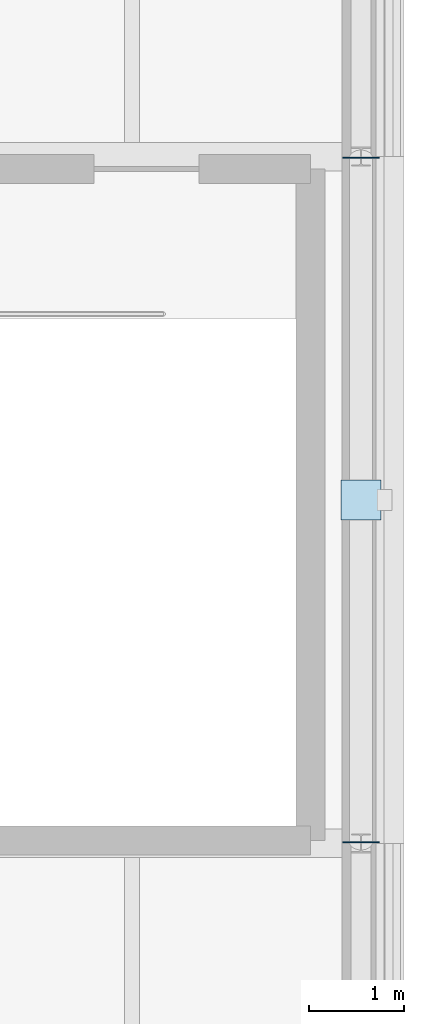
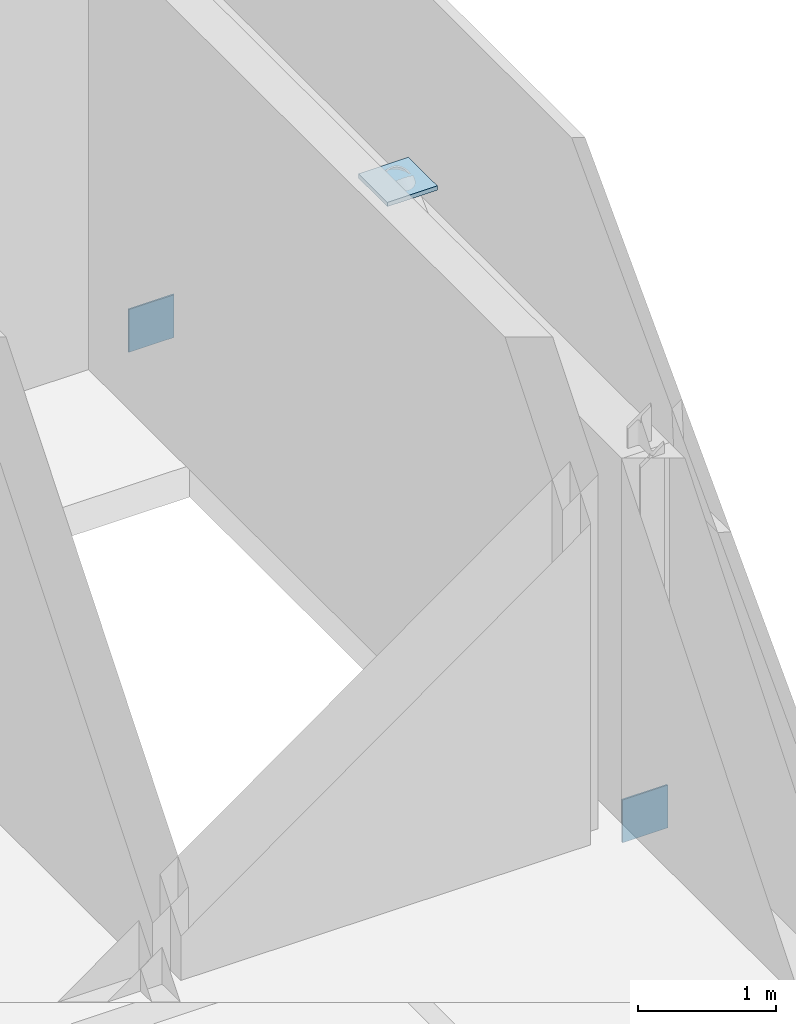
# One storey, part 54 of 91: 3 plates.
"""IFC4 building model written with IfcOpenShell, lengths in metres."""

from ifc_helpers import new_model, si_unit, direction, frame, origin, origin_2d, place, context, subcontext, project, spatial, rectangle, extrude, material, layer, layer_set, type_object, element, save


model = new_model("IFC4")

# Units and contexts
model_context = context("Model", 3, precision=1e-05, world=origin(), true_north=direction((0.0, 1.0)))
body_context = subcontext(model_context, "Body", "Model", "MODEL_VIEW")
ifc_project = project(units=[si_unit("LENGTHUNIT", "METRE"), si_unit("AREAUNIT", "SQUARE_METRE"), si_unit("VOLUMEUNIT", "CUBIC_METRE"), si_unit("PLANEANGLEUNIT", "RADIAN"), si_unit("MASSUNIT", "GRAM", prefix="KILO")], contexts=[model_context])

# Site, building, storey
site_placement = place(None, origin())
site = spatial("IfcSite", under=ifc_project, at=site_placement, CompositionType="ELEMENT")
building_placement = place(site_placement, origin())
building = spatial("IfcBuilding", under=site, at=building_placement, Name="Narikvali Park Central Library", CompositionType="ELEMENT")
storey_placement = place(building_placement, frame((0.0, 0.0, 14.39990234375)))
storey = spatial("IfcBuildingStorey", under=building, at=storey_placement, Name="L03", CompositionType="ELEMENT", Elevation=14.39990234375)

# Plates
ifc_material = material(Name="Steel S355", Category="steel")
ifc_layer_1 = layer(ifc_material, 0.013916015625, Name="Steel S355")
ifc_layer_set_1 = layer_set([ifc_layer_1], Name="Steel S355")
plate_type_1 = type_object("IfcPlateType", Name="Steel Hollow End Cap Plate 14", PredefinedType="SHEET", material=ifc_layer_set_1)
for number, where, z_axis, x_axis, name in (
    (1, (165.60009765625, 14.412109375, -0.177734375), (0.0, 0.0, 1.0), (-1.0, 0.0, 0.0), "Hollow Section Steel End Cap BR-ECAP-6-L03-A0"),
    (2, (165.60009765625, 21.587890625, -0.177734375), (0.0, 0.0, 1.0), (1.0, 0.0, 0.0), "Hollow Section Steel End Cap BR-ECAP-6-L03-B0"),
):
    element("IfcPlate", number, at=place(storey_placement, frame(where, z_axis=z_axis, x_axis=x_axis)), inside=storey, type_object=plate_type_1, Name=name, PredefinedType="SHEET", context=body_context, shape_type="SweptSolid", body=[
        extrude(rectangle(XDim=0.3798828125, YDim=0.013916015625, at=origin_2d()), origin(), (0.0, 0.0, 1.0), 0.3798828125),
    ])
ifc_layer_2 = layer(ifc_material, 0.0380859375, Name="Steel S355")
ifc_layer_set_2 = layer_set([ifc_layer_2], Name="Steel S355")
plate_type_2 = type_object("IfcPlateType", Name="Truss Splice Gusset Plate 38", PredefinedType="SHEET", material=ifc_layer_set_2)
plate_placement = place(storey_placement, frame((165.60009765625, 18.0, 3.421142578125), z_axis=(0.0, 0.0, 1.0), x_axis=(1.0, 0.0, 0.0)))
element("IfcPlate", 3, at=plate_placement, inside=storey, type_object=plate_type_2, Name="V6 L03 Chevron Apex Gusset Cap Plate", PredefinedType="SHEET", context=body_context, shape_type="SweptSolid", body=[
    extrude(rectangle(XDim=0.419921875, YDim=0.419921875, at=origin_2d()), origin(), (0.0, 0.0, 1.0), 0.0380859375),
])

save(model, "model.ifc")
